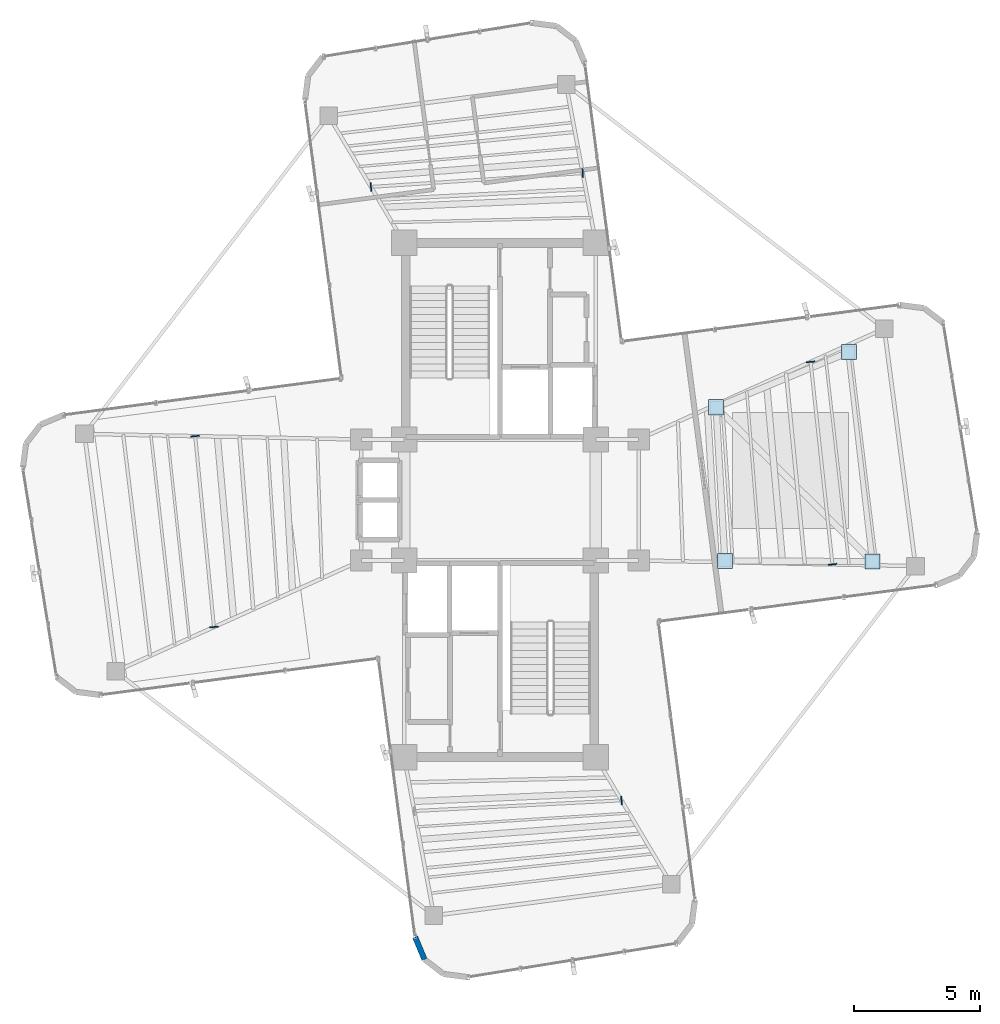
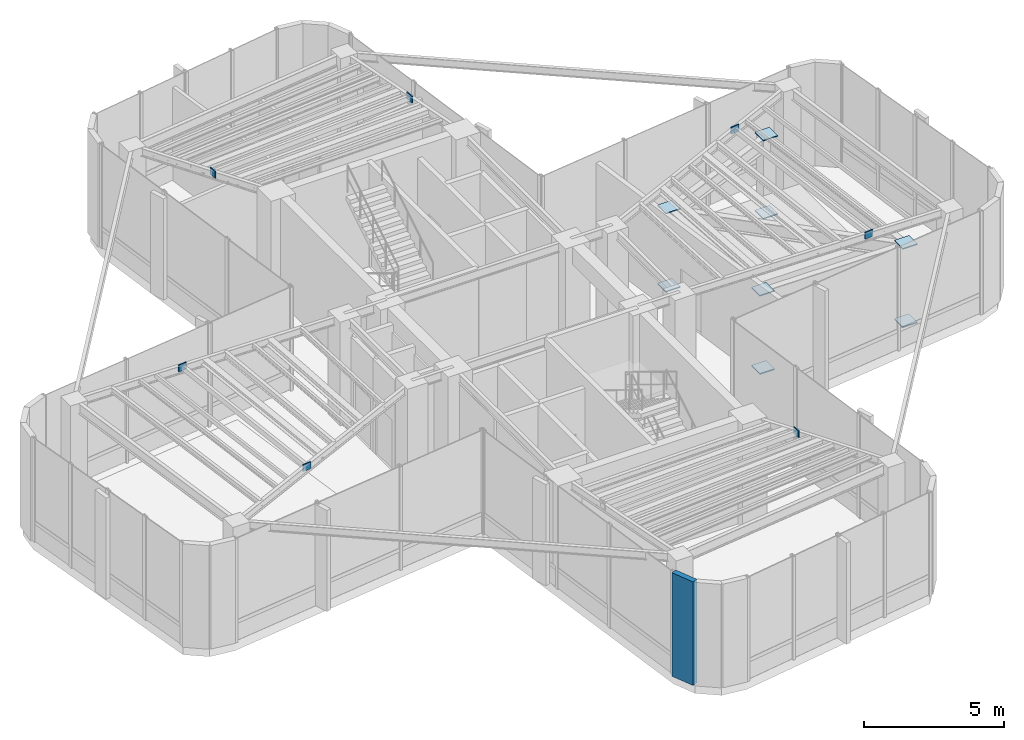
# One storey, part 13 of 16: 15 plates, 1 wall.
"""IFC4 building model written with IfcOpenShell, lengths in metres."""

from ifc_helpers import new_model, si_unit, direction, frame, frame_2d, origin, origin_2d, place, context, subcontext, project, spatial, rectangle, extrude, source, transform, mapped, material, layer, layer_set, type_object, element, save


model = new_model("IFC4")

# Units and contexts
model_context = context("Model", 3, precision=1e-05, world=origin(), true_north=direction((0.0, 1.0)))
body_context = subcontext(model_context, "Body", "Model", "MODEL_VIEW")
ifc_project = project(units=[si_unit("LENGTHUNIT", "METRE"), si_unit("AREAUNIT", "SQUARE_METRE"), si_unit("VOLUMEUNIT", "CUBIC_METRE"), si_unit("PLANEANGLEUNIT", "RADIAN"), si_unit("MASSUNIT", "GRAM", prefix="KILO")], contexts=[model_context])

# Site, building, storey
site_placement = place(None, origin())
site = spatial("IfcSite", under=ifc_project, at=site_placement, CompositionType="ELEMENT")
building_placement = place(site_placement, origin())
building = spatial("IfcBuilding", under=site, at=building_placement, Name="Sahyath Konkavel Grand Hotel", CompositionType="ELEMENT")
storey_placement = place(building_placement, frame((0.0, 0.0, 280.300048828125)))
storey = spatial("IfcBuildingStorey", under=building, at=storey_placement, Name="L78", CompositionType="ELEMENT", Elevation=280.300048828125)

# Plates
ifc_material_1 = material(Name="Steel E450", Category="steel")
plate_type_1 = type_object("IfcPlateType", Name="GUSSET-END-35", PredefinedType="USERDEFINED", material=ifc_material_1)
shared_shape_1 = source(origin(), body_context, "Body", "SweptSolid", [
    extrude(rectangle(XDim=0.0400390625, YDim=0.340087890625, at=origin_2d()), origin(), (0.0, 0.0, 1.0), 0.300048828125),
])
for number, where, z_axis, x_axis, name in (
    (1, (13.188232421875, -2.5546875, 4.23974609375), (0.0, 0.0, 1.0), (-0.107426747974, 0.994213002238, 0.0), "L78 Sub-Beam E-5 End Cap A"),
    (2, (12.3203125, 5.478515625, 4.23974609375), (0.0, 0.0, 1.0), (-0.107426747974, 0.994213002238, 0.0), "L78 Sub-Beam E-5 End Cap B"),
    (3, (-12.08984375, 2.532470703125, 4.23974609375), (0.0, 0.0, 1.0), (0.097791337557, -0.995206940439, 0.0), "L78 Sub-Beam W-4 End Cap A"),
    (4, (-11.345947265625, -5.038818359375, 4.23974609375), (0.0, 0.0, 1.0), (0.097791337557, -0.995206940439, 0.0), "L78 Sub-Beam W-4 End Cap B"),
    (5, (3.28125, 12.964599609375, 4.23974609375), (0.0, 0.0, 1.0), (-0.997897558543, -0.064810976344, 0.0), "L78 Sub-Beam N-3 End Cap A"),
    (6, (-5.118896484375, 12.4189453125, 4.23974609375), (0.0, 0.0, 1.0), (-0.997897558543, -0.064810976344, 0.0), "L78 Sub-Beam N-3 End Cap B"),
    (7, (4.8193359375, -11.914794921875, 4.23974609375), (0.0, 0.0, 1.0), (0.998686477448, 0.051237874303, 0.0), "L78 Sub-Beam S-2 End Cap B"),
):
    element("IfcPlate", number, at=place(storey_placement, frame(where, z_axis=z_axis, x_axis=x_axis)), inside=storey, type_object=plate_type_1, Name=name, ObjectType="GUSSET_PLATE", PredefinedType="USERDEFINED", context=body_context, shape_type="MappedRepresentation", body=[
        mapped(shared_shape_1, transform((0.0, 0.0, 0.0), scale=1.0)),
    ])
plate_type_2 = type_object("IfcPlateType", Name="GUSSET-NODE-40", PredefinedType="USERDEFINED", material=ifc_material_1)
shared_shape_2 = source(origin(), body_context, "Body", "SweptSolid", [
    extrude(rectangle(XDim=0.60009765625, YDim=0.60009765625, at=origin_2d()), origin(), (0.0, 0.0, 1.0), 0.044921875),
])
for number, where, z_axis, x_axis, name in (
    (8, (8.572265625, 3.6767578125, -0.0224609375), (0.0, 0.0, 1.0), (1.0, 0.0, 0.0), "Tuned Mass Damper Frame Column NW Cap Plate BOT"),
    (9, (8.572265625, 3.6767578125, 3.37744140625), (0.0, 0.0, 1.0), (1.0, 0.0, 0.0), "Tuned Mass Damper Frame Column NW Cap Plate TOP"),
    (10, (13.839111328125, 5.865234375, -0.0224609375), (0.0, 0.0, 1.0), (1.0, 0.0, 0.0), "Tuned Mass Damper Frame Column NE Cap Plate BOT"),
    (11, (13.839111328125, 5.865234375, 3.37744140625), (0.0, 0.0, 1.0), (1.0, 0.0, 0.0), "Tuned Mass Damper Frame Column NE Cap Plate TOP"),
    (12, (8.91943359375, -2.41650390625, -0.0224609375), (0.0, 0.0, 1.0), (1.0, 0.0, 0.0), "Tuned Mass Damper Frame Column SW Cap Plate BOT"),
    (13, (8.91943359375, -2.41650390625, 3.37744140625), (0.0, 0.0, 1.0), (1.0, 0.0, 0.0), "Tuned Mass Damper Frame Column SW Cap Plate TOP"),
    (14, (14.781494140625, -2.44482421875, -0.0224609375), (0.0, 0.0, 1.0), (1.0, 0.0, 0.0), "Tuned Mass Damper Frame Column SE Cap Plate BOT"),
    (15, (14.781494140625, -2.44482421875, 3.37744140625), (0.0, 0.0, 1.0), (1.0, 0.0, 0.0), "Tuned Mass Damper Frame Column SE Cap Plate TOP"),
):
    element("IfcPlate", number, at=place(storey_placement, frame(where, z_axis=z_axis, x_axis=x_axis)), inside=storey, type_object=plate_type_2, Name=name, ObjectType="GUSSET_PLATE", PredefinedType="USERDEFINED", context=body_context, shape_type="MappedRepresentation", body=[
        mapped(shared_shape_2, transform((0.0, 0.0, 0.0), scale=1.0)),
    ])

# Wall
ifc_material_2 = material(Name="Warm Buff Sandstone Insulated Concrete C40/50", Category="masonry")
ifc_layer = layer(ifc_material_2, 0.219970703125)
ifc_layer_set = layer_set([ifc_layer], Name="Warm Buff Sandstone Insulated Concrete C40/50")
wall_type = type_object("IfcWallType", Name="WLL-BALC-THRESH", PredefinedType="STANDARD", material=ifc_layer_set)
wall_placement = place(storey_placement, frame((-3.36572265625, -17.337646484375, 0.0), z_axis=(0.0, 0.0, 1.0), x_axis=(0.382659506909, -0.923889442397, 0.0)))
element("IfcWall", 16, at=wall_placement, inside=storey, type_object=wall_type, Name="L78 Rounded Corner Sandstone Pier 25", PredefinedType="STANDARD", context=body_context, shape_type="SweptSolid", body=[
    extrude(rectangle(XDim=0.957763671875, YDim=0.219970703125, at=frame_2d((0.47900390625, 0.0))), origin(), (0.0, 0.0, 1.0), 4.5),
])

save(model, "model.ifc")
